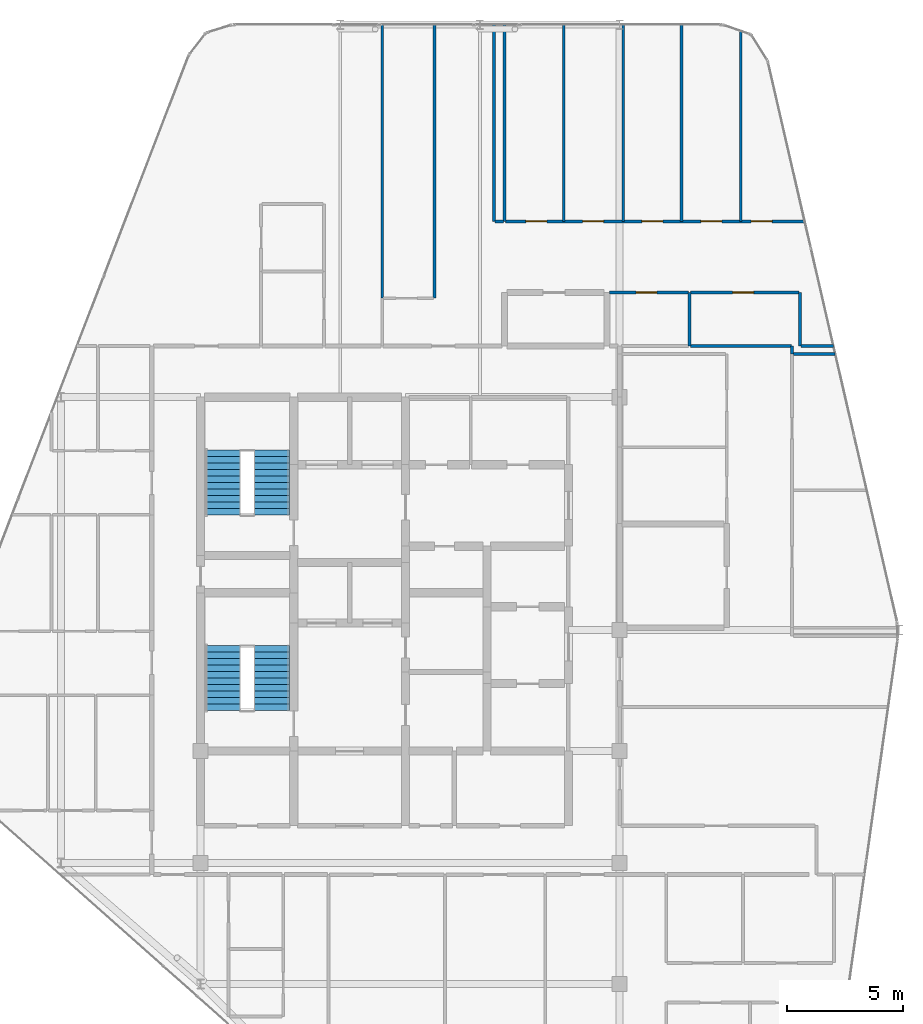
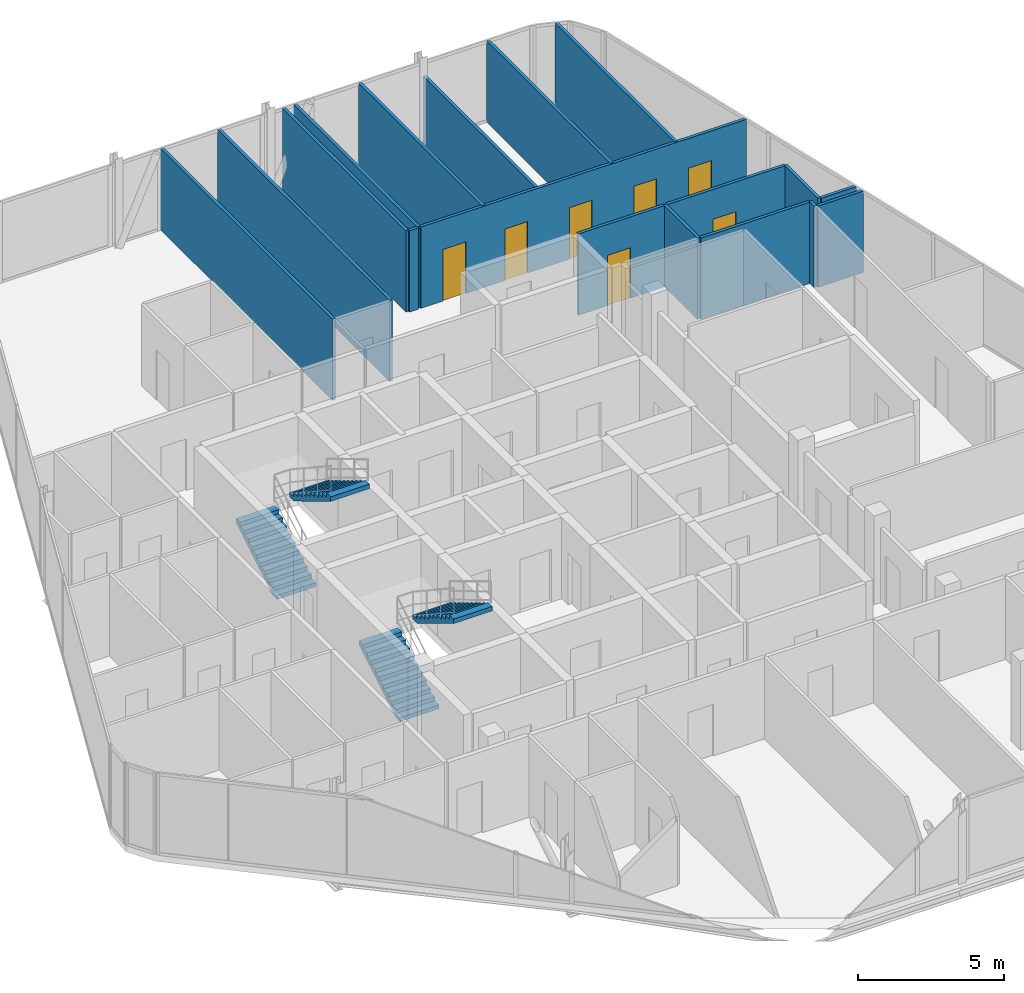
# One storey, part 26 of 27: 18 walls, 7 doors, 4 stair flights, 7 openings, 2 elements without a shape of their own.
"""IFC4 building model written with IfcOpenShell, lengths in metres."""

from ifc_helpers import new_model, si_unit, direction, frame, frame_2d, origin, place, context, subcontext, project, spatial, polyline, rectangle, outline, extrude, material, layer, layer_set, type_object, element, fill, aggregate, save


model = new_model("IFC4")

# Units and contexts
model_context = context("Model", 3, precision=1e-05, world=origin(), true_north=direction((0.0, 1.0)))
body_context = subcontext(model_context, "Body", "Model", "MODEL_VIEW")
ifc_project = project(units=[si_unit("LENGTHUNIT", "METRE"), si_unit("AREAUNIT", "SQUARE_METRE"), si_unit("VOLUMEUNIT", "CUBIC_METRE"), si_unit("PLANEANGLEUNIT", "RADIAN"), si_unit("MASSUNIT", "GRAM", prefix="KILO")], contexts=[model_context])

# Site, building, storey
site_placement = place(None, origin())
site = spatial("IfcSite", under=ifc_project, at=site_placement, CompositionType="ELEMENT")
building_placement = place(site_placement, origin())
building = spatial("IfcBuilding", under=site, at=building_placement, Name="Keshet Zoharim Tower", CompositionType="ELEMENT")
storey_placement = place(building_placement, frame((0.0, 0.0, 291.699951171875)))
storey = spatial("IfcBuildingStorey", under=building, at=storey_placement, Name="L73", CompositionType="ELEMENT", Elevation=291.699951171875)

# Walls
ifc_material_1 = material(Name="Gypsum Plasterboard", Category="gypsum")
ifc_layer_1 = layer(ifc_material_1, 0.1201171875)
ifc_layer_set_1 = layer_set([ifc_layer_1], Name="Gypsum Plasterboard")
wall_type_1 = type_object("IfcWallType", Name="WL-PART-120", PredefinedType="PARTITIONING", material=ifc_layer_set_1)
for number, where, z_axis, x_axis, name in (
    (1, (22.800048828125, 42.14990234375, 0.0), (0.0, 0.0, 1.0), (0.0, 1.0, 0.0), "L73 Interior Wall 034"),
    (2, (25.050048828125, 42.14990234375, 0.0), (0.0, 0.0, 1.0), (0.0, 1.0, 0.0), "L73 Interior Wall 041"),
):
    element("IfcWall", number, at=place(storey_placement, frame(where, z_axis=z_axis, x_axis=x_axis)), inside=storey, type_object=wall_type_1, Name=name, PredefinedType="PARTITIONING", context=body_context, shape_type="SweptSolid", body=[
        extrude(rectangle(XDim=11.739990234375, YDim=0.1201171875, at=frame_2d((5.8701171875, 0.0))), origin(), (0.0, 0.0, 1.0), 3.39013671875),
    ])
for number, where, z_axis, x_axis, name in (
    (3, (27.60009765625, 45.449951171875, 0.0), (0.0, 0.0, 1.0), (0.0, 1.0, 0.0), "L73 Interior Wall 049"),
    (4, (28.050048828125, 45.449951171875, 0.0), (0.0, 0.0, 1.0), (0.0, 1.0, 0.0), "L73 Interior Wall 051"),
    (5, (30.60009765625, 45.449951171875, 0.0), (0.0, 0.0, 1.0), (0.0, 1.0, 0.0), "L73 Interior Wall 053"),
):
    element("IfcWall", number, at=place(storey_placement, frame(where, z_axis=z_axis, x_axis=x_axis)), inside=storey, type_object=wall_type_1, Name=name, PredefinedType="PARTITIONING", context=body_context, shape_type="SweptSolid", body=[
        extrude(rectangle(XDim=8.43994140625, YDim=0.1201171875, at=frame_2d((4.219970703125, 0.0))), origin(), (0.0, 0.0, 1.0), 3.39013671875),
    ])
wall_1_placement = place(storey_placement, frame((33.14990234375, 45.449951171875, 0.0), z_axis=(0.0, 0.0, 1.0), x_axis=(0.0, 1.0, 0.0)))
element("IfcWall", 6, at=wall_1_placement, inside=storey, type_object=wall_type_1, Name="L73 Interior Wall 067", PredefinedType="PARTITIONING", context=body_context, shape_type="SweptSolid", body=[
    extrude(rectangle(XDim=8.43994140625, YDim=0.1201171875, at=frame_2d((4.219970703125, 0.0))), origin(), (0.0, 0.0, 1.0), 2.7900390625),
])
wall_2_placement = place(storey_placement, frame((35.64990234375, 45.449951171875, 0.0), z_axis=(0.0, 0.0, 1.0), x_axis=(0.0, 1.0, 0.0)))
element("IfcWall", 7, at=wall_2_placement, inside=storey, type_object=wall_type_1, Name="L73 Interior Wall 070", PredefinedType="PARTITIONING", context=body_context, shape_type="SweptSolid", body=[
    extrude(rectangle(XDim=8.43994140625, YDim=0.1201171875, at=frame_2d((4.219970703125, 0.0))), origin(), (0.0, 0.0, 1.0), 3.39013671875),
])
wall_3_placement = place(storey_placement, frame((38.199951171875, 45.449951171875, 0.0), z_axis=(0.0, 0.0, 1.0), x_axis=(0.0, 1.0, 0.0)))
element("IfcWall", 8, at=wall_3_placement, inside=storey, type_object=wall_type_1, Name="L73 Interior Wall 075", PredefinedType="PARTITIONING", context=body_context, shape_type="SweptSolid", body=[
    extrude(rectangle(XDim=8.1640625, YDim=0.1201171875, at=frame_2d((4.08203125, 0.0))), origin(), (0.0, 0.0, 1.0), 3.39013671875),
])
wall_4_placement = place(storey_placement, frame((40.39990234375, 39.75, 0.0), z_axis=(0.0, 0.0, 1.0), x_axis=(0.0, 1.0, 0.0)))
element("IfcWall", 9, at=wall_4_placement, inside=storey, type_object=wall_type_1, Name="L73 Interior Wall 080", PredefinedType="PARTITIONING", context=body_context, shape_type="SweptSolid", body=[
    extrude(rectangle(XDim=0.35009765625, YDim=0.1201171875, at=frame_2d((0.175048828125, 0.0))), origin(), (0.0, 0.0, 1.0), 3.39013671875),
])
wall_5_placement = place(storey_placement, frame((40.75, 40.10009765625, 0.0), z_axis=(0.0, 0.0, 1.0), x_axis=(0.0, 1.0, 0.0)))
element("IfcWall", 10, at=wall_5_placement, inside=storey, type_object=wall_type_1, Name="L73 Interior Wall 081", PredefinedType="PARTITIONING", context=body_context, shape_type="SweptSolid", body=[
    extrude(rectangle(XDim=2.2998046875, YDim=0.1201171875, at=frame_2d((1.14990234375, 0.0))), origin(), (0.0, 0.0, 1.0), 3.39013671875),
])
wall_6_placement = place(storey_placement, frame((40.465087890625, 39.75, 0.0), z_axis=(0.0, 0.0, 1.0), x_axis=(1.0, 0.0, 0.0)))
element("IfcWall", 11, at=wall_6_placement, inside=storey, type_object=wall_type_1, Name="L73 Interior Wall 150", PredefinedType="PARTITIONING", context=body_context, shape_type="SweptSolid", body=[
    extrude(rectangle(XDim=1.789794921875, YDim=0.1201171875, at=frame_2d((0.89501953125, 0.0))), origin(), (0.0, 0.0, 1.0), 3.39013671875),
])
wall_7_placement = place(storey_placement, frame((36.0458984375, 40.10009765625, 0.0), z_axis=(0.0, 0.0, 1.0), x_axis=(1.0, 0.0, 0.0)))
element("IfcWall", 12, at=wall_7_placement, inside=storey, type_object=wall_type_1, Name="L73 Interior Wall 160", PredefinedType="PARTITIONING", context=body_context, shape_type="SweptSolid", body=[
    extrude(rectangle(XDim=4.3291015625, YDim=0.1201171875, at=frame_2d((2.16455078125, 0.0))), origin(), (0.0, 0.0, 1.0), 3.39013671875),
])
wall_8_placement = place(storey_placement, frame((40.7958984375, 40.10009765625, 0.0), z_axis=(0.0, 0.0, 1.0), x_axis=(1.0, 0.0, 0.0)))
element("IfcWall", 13, at=wall_8_placement, inside=storey, type_object=wall_type_1, Name="L73 Interior Wall 161", PredefinedType="PARTITIONING", context=body_context, shape_type="SweptSolid", body=[
    extrude(rectangle(XDim=1.379150390625, YDim=0.1201171875, at=frame_2d((0.689453125, 0.0))), origin(), (0.0, 0.0, 1.0), 3.39013671875),
])

# Wall, opening, door
wall_9_placement = place(storey_placement, frame((36.0458984375, 42.39990234375, 0.0), z_axis=(0.0, 0.0, 1.0), x_axis=(1.0, 0.0, 0.0)))
wall_9 = element("IfcWall", 14, at=wall_9_placement, inside=storey, type_object=wall_type_1, Name="L73 Interior Wall 165", PredefinedType="PARTITIONING", context=body_context, shape_type="SweptSolid", body=[
    extrude(rectangle(XDim=4.66015625, YDim=0.1201171875, at=frame_2d((2.330078125, 0.0))), origin(), (0.0, 0.0, 1.0), 3.39013671875),
])
opening_1_placement = place(wall_9_placement, frame((1.806884765625, 0.0, 0.0)))
opening_1 = element("IfcOpeningElement", 15, at=opening_1_placement, cuts=wall_9, Name="Opening D-IN90", PredefinedType="OPENING", context=body_context, shape_type="SweptSolid", body=[
    extrude(rectangle(XDim=0.89990234375, YDim=2.14990234375, at=frame_2d((0.449951171875, 1.074951171875))), frame((0.0, 0.070068359375, 0.0), z_axis=(0.0, -1.0, 0.0), x_axis=(1.0, 0.0, 0.0)), (0.0, 0.0, 1.0), 0.14013671875),
])
ifc_material_2 = material(Name="Hardwood Timber", Category="wood")
door_type_1 = type_object("IfcDoorType", Name="DR-INT-090", OperationType="NOTDEFINED", PredefinedType="DOOR", material=ifc_material_2)
door_1_placement = place(opening_1_placement, origin())
door_1 = element("IfcDoor", 16, at=door_1_placement, inside=storey, type_object=door_type_1, Name="Apartment 7304 Kitchen Door", OperationType="SINGLE_SWING_LEFT", OverallHeight=2.14990234375, OverallWidth=0.89990234375, PredefinedType="DOOR", context=body_context, shape_type="SweptSolid", body=[
    extrude(rectangle(XDim=0.89990234375, YDim=2.14990234375, at=frame_2d((0.449951171875, 1.074951171875))), frame((0.0, 0.02490234375, 0.0), z_axis=(0.0, -1.0, 0.0), x_axis=(1.0, 0.0, 0.0)), (0.0, 0.0, 1.0), 0.050048828125),
])
fill(opening_1, door_1)

# Wall
wall_10_placement = place(storey_placement, frame((27.64501953125, 45.449951171875, 0.0), z_axis=(0.0, 0.0, 1.0), x_axis=(1.0, 0.0, 0.0)))
element("IfcWall", 17, at=wall_10_placement, inside=storey, type_object=wall_type_1, Name="L73 Interior Wall 167", PredefinedType="PARTITIONING", context=body_context, shape_type="SweptSolid", body=[
    extrude(rectangle(XDim=0.35986328125, YDim=0.1201171875, at=frame_2d((0.179931640625, 0.0))), origin(), (0.0, 0.0, 1.0), 3.39013671875),
])

# Wall, openings, doors
wall_11_placement = place(storey_placement, frame((28.094970703125, 45.449951171875, 0.0), z_axis=(0.0, 0.0, 1.0), x_axis=(1.0, 0.0, 0.0)))
wall_11 = element("IfcWall", 18, at=wall_11_placement, inside=storey, type_object=wall_type_1, Name="L73 Interior Wall 168", PredefinedType="PARTITIONING", context=body_context, shape_type="SweptSolid", body=[
    extrude(rectangle(XDim=12.844970703125, YDim=0.1201171875, at=frame_2d((6.42236328125, 0.0))), origin(), (0.0, 0.0, 1.0), 3.39013671875),
])
opening_2_placement = place(wall_11_placement, frame((0.8740234375, 0.0, 0.0)))
opening_2 = element("IfcOpeningElement", 19, at=opening_2_placement, cuts=wall_11, Name="Opening D-IN90", PredefinedType="OPENING", context=body_context, shape_type="SweptSolid", body=[
    extrude(rectangle(XDim=0.89990234375, YDim=2.14990234375, at=frame_2d((0.449951171875, 1.074951171875))), frame((0.0, 0.070068359375, 0.0), z_axis=(0.0, -1.0, 0.0), x_axis=(1.0, 0.0, 0.0)), (0.0, 0.0, 1.0), 0.14013671875),
])
opening_3_placement = place(wall_11_placement, frame((3.31494140625, 0.0, 0.0)))
opening_3 = element("IfcOpeningElement", 20, at=opening_3_placement, cuts=wall_11, Name="Opening D-IN90", PredefinedType="OPENING", context=body_context, shape_type="SweptSolid", body=[
    extrude(rectangle(XDim=0.89990234375, YDim=2.14990234375, at=frame_2d((0.449951171875, 1.074951171875))), frame((0.0, 0.070068359375, 0.0), z_axis=(0.0, -1.0, 0.0), x_axis=(1.0, 0.0, 0.0)), (0.0, 0.0, 1.0), 0.14013671875),
])
opening_4_placement = place(wall_11_placement, frame((5.85595703125, 0.0, 0.0)))
opening_4 = element("IfcOpeningElement", 21, at=opening_4_placement, cuts=wall_11, Name="Opening D-IN90", PredefinedType="OPENING", context=body_context, shape_type="SweptSolid", body=[
    extrude(rectangle(XDim=0.89990234375, YDim=2.14990234375, at=frame_2d((0.449951171875, 1.074951171875))), frame((0.0, 0.070068359375, 0.0), z_axis=(0.0, -1.0, 0.0), x_axis=(1.0, 0.0, 0.0)), (0.0, 0.0, 1.0), 0.14013671875),
])
opening_5_placement = place(wall_11_placement, frame((8.39599609375, 0.0, 0.0)))
opening_5 = element("IfcOpeningElement", 22, at=opening_5_placement, cuts=wall_11, Name="Opening D-IN90", PredefinedType="OPENING", context=body_context, shape_type="SweptSolid", body=[
    extrude(rectangle(XDim=0.89990234375, YDim=2.14990234375, at=frame_2d((0.449951171875, 1.074951171875))), frame((0.0, 0.070068359375, 0.0), z_axis=(0.0, -1.0, 0.0), x_axis=(1.0, 0.0, 0.0)), (0.0, 0.0, 1.0), 0.14013671875),
])
opening_6_placement = place(wall_11_placement, frame((10.553955078125, 0.0, 0.0)))
opening_6 = element("IfcOpeningElement", 23, at=opening_6_placement, cuts=wall_11, Name="Opening D-IN90", PredefinedType="OPENING", context=body_context, shape_type="SweptSolid", body=[
    extrude(rectangle(XDim=0.89990234375, YDim=2.14990234375, at=frame_2d((0.449951171875, 1.074951171875))), frame((0.0, 0.070068359375, 0.0), z_axis=(0.0, -1.0, 0.0), x_axis=(1.0, 0.0, 0.0)), (0.0, 0.0, 1.0), 0.14013671875),
])
door_2_placement = place(opening_2_placement, origin())
door_2 = element("IfcDoor", 24, at=door_2_placement, inside=storey, type_object=door_type_1, Name="Apartment 7304 Bedroom 1 Door", OperationType="SINGLE_SWING_RIGHT", OverallHeight=2.14990234375, OverallWidth=0.89990234375, PredefinedType="DOOR", context=body_context, shape_type="SweptSolid", body=[
    extrude(rectangle(XDim=0.89990234375, YDim=2.14990234375, at=frame_2d((0.449951171875, 1.074951171875))), frame((0.0, 0.02490234375, 0.0), z_axis=(0.0, -1.0, 0.0), x_axis=(1.0, 0.0, 0.0)), (0.0, 0.0, 1.0), 0.050048828125),
])
fill(opening_2, door_2)
door_3_placement = place(opening_3_placement, origin())
door_3 = element("IfcDoor", 25, at=door_3_placement, inside=storey, type_object=door_type_1, Name="Apartment 7304 Bedroom 2 Door", OperationType="SINGLE_SWING_LEFT", OverallHeight=2.14990234375, OverallWidth=0.89990234375, PredefinedType="DOOR", context=body_context, shape_type="SweptSolid", body=[
    extrude(rectangle(XDim=0.89990234375, YDim=2.14990234375, at=frame_2d((0.449951171875, 1.074951171875))), frame((0.0, 0.02490234375, 0.0), z_axis=(0.0, -1.0, 0.0), x_axis=(1.0, 0.0, 0.0)), (0.0, 0.0, 1.0), 0.050048828125),
])
fill(opening_3, door_3)
door_4_placement = place(opening_4_placement, origin())
door_4 = element("IfcDoor", 26, at=door_4_placement, inside=storey, type_object=door_type_1, Name="Apartment 7304 Bedroom 3 Door", OperationType="SINGLE_SWING_RIGHT", OverallHeight=2.14990234375, OverallWidth=0.89990234375, PredefinedType="DOOR", context=body_context, shape_type="SweptSolid", body=[
    extrude(rectangle(XDim=0.89990234375, YDim=2.14990234375, at=frame_2d((0.449951171875, 1.074951171875))), frame((0.0, 0.02490234375, 0.0), z_axis=(0.0, -1.0, 0.0), x_axis=(1.0, 0.0, 0.0)), (0.0, 0.0, 1.0), 0.050048828125),
])
fill(opening_4, door_4)
door_5_placement = place(opening_5_placement, origin())
door_5 = element("IfcDoor", 27, at=door_5_placement, inside=storey, type_object=door_type_1, Name="Apartment 7304 Bedroom 4 Door", OperationType="SINGLE_SWING_LEFT", OverallHeight=2.14990234375, OverallWidth=0.89990234375, PredefinedType="DOOR", context=body_context, shape_type="SweptSolid", body=[
    extrude(rectangle(XDim=0.89990234375, YDim=2.14990234375, at=frame_2d((0.449951171875, 1.074951171875))), frame((0.0, 0.02490234375, 0.0), z_axis=(0.0, -1.0, 0.0), x_axis=(1.0, 0.0, 0.0)), (0.0, 0.0, 1.0), 0.050048828125),
])
fill(opening_5, door_5)
door_6_placement = place(opening_6_placement, origin())
door_6 = element("IfcDoor", 28, at=door_6_placement, inside=storey, type_object=door_type_1, Name="Apartment 7304 Bedroom 5 Door", OperationType="SINGLE_SWING_RIGHT", OverallHeight=2.14990234375, OverallWidth=0.89990234375, PredefinedType="DOOR", context=body_context, shape_type="SweptSolid", body=[
    extrude(rectangle(XDim=0.89990234375, YDim=2.14990234375, at=frame_2d((0.449951171875, 1.074951171875))), frame((0.0, 0.02490234375, 0.0), z_axis=(0.0, -1.0, 0.0), x_axis=(1.0, 0.0, 0.0)), (0.0, 0.0, 1.0), 0.050048828125),
])
fill(opening_6, door_6)

# Wall
ifc_layer_2 = layer(ifc_material_1, 0.1201171875)
ifc_layer_set_2 = layer_set([ifc_layer_2], Name="Gypsum Plasterboard")
wall_type_2 = type_object("IfcWallType", Name="WL-WET-120", PredefinedType="PARTITIONING", material=ifc_layer_set_2)
wall_12_placement = place(storey_placement, frame((36.0, 40.10009765625, 0.0), z_axis=(0.0, 0.0, 1.0), x_axis=(0.0, 1.0, 0.0)))
element("IfcWall", 29, at=wall_12_placement, inside=storey, type_object=wall_type_2, Name="L73 Interior Wall 071", PredefinedType="PARTITIONING", context=body_context, shape_type="SweptSolid", body=[
    extrude(rectangle(XDim=2.2998046875, YDim=0.1201171875, at=frame_2d((1.14990234375, 0.0))), origin(), (0.0, 0.0, 1.0), 3.39013671875),
])

# Wall, opening, door
wall_13_placement = place(storey_placement, frame((32.554931640625, 42.39990234375, 0.0), z_axis=(0.0, 0.0, 1.0), x_axis=(1.0, 0.0, 0.0)))
wall_13 = element("IfcWall", 30, at=wall_13_placement, inside=storey, type_object=wall_type_2, Name="L73 Interior Wall 164", PredefinedType="PARTITIONING", context=body_context, shape_type="SweptSolid", body=[
    extrude(rectangle(XDim=3.401123046875, YDim=0.1201171875, at=frame_2d((1.70068359375, 0.0))), origin(), (0.0, 0.0, 1.0), 3.39013671875),
])
opening_7_placement = place(wall_13_placement, frame((1.14599609375, 0.0, 0.0)))
opening_7 = element("IfcOpeningElement", 31, at=opening_7_placement, cuts=wall_13, Name="Opening D-WT90", PredefinedType="OPENING", context=body_context, shape_type="SweptSolid", body=[
    extrude(rectangle(XDim=0.89990234375, YDim=2.10009765625, at=frame_2d((0.449951171875, 1.050048828125))), frame((0.0, 0.070068359375, 0.0), z_axis=(0.0, -1.0, 0.0), x_axis=(1.0, 0.0, 0.0)), (0.0, 0.0, 1.0), 0.14013671875),
])
door_type_2 = type_object("IfcDoorType", Name="DR-WET-090", OperationType="NOTDEFINED", PredefinedType="DOOR", material=ifc_material_2)
door_7_placement = place(opening_7_placement, origin())
door_7 = element("IfcDoor", 32, at=door_7_placement, inside=storey, type_object=door_type_2, Name="Apartment 7304 Bathroom Door", OperationType="SINGLE_SWING_RIGHT", OverallHeight=2.10009765625, OverallWidth=0.89990234375, PredefinedType="DOOR", context=body_context, shape_type="SweptSolid", body=[
    extrude(rectangle(XDim=0.89990234375, YDim=2.10009765625, at=frame_2d((0.449951171875, 1.050048828125))), frame((0.0, 0.02490234375, 0.0), z_axis=(0.0, -1.0, 0.0), x_axis=(1.0, 0.0, 0.0)), (0.0, 0.0, 1.0), 0.050048828125),
])
fill(opening_7, door_7)

# Stair, stair flights
ifc_material_3 = material(Name="Concrete C50/60", Category="concrete")
stair_type = type_object("IfcStairType", Name="STR-EXIT-135", PredefinedType="HALF_TURN_STAIR", material=ifc_material_3)
stair_1_placement = place(storey_placement, origin())
stair_1 = element("IfcStair", 33, at=stair_1_placement, inside=storey, type_object=stair_type, Name="L73 Enclosed Exit Stair ST-01", PredefinedType="HALF_TURN_STAIR")
stair_flight_type = type_object("IfcStairFlightType", Name="FLT-PRE-135", PredefinedType="STRAIGHT", material=ifc_material_3)
stair_flight_1_placement = place(storey_placement, frame((15.945068359375, 24.43994140625, 0.0), z_axis=(0.0, 0.0, 1.0), x_axis=(0.0, 1.0, 0.0)))
stair_flight_1 = element("IfcStairFlight", 34, at=stair_flight_1_placement, type_object=stair_flight_type, Name="ST-01 flight 1", NumberOfRisers=11, NumberOfTreads=10, PredefinedType="STRAIGHT", RiserHeight=0.168182, TreadLength=0.28, context=body_context, shape_type="SweptSolid", body=[
    extrude(outline(polyline([(0.0, 0.0), (0.0, 0.168212890625), (0.280029296875, 0.168212890625), (0.280029296875, 0.33642578125), (0.56005859375, 0.33642578125), (0.56005859375, 0.504638671875), (0.840087890625, 0.504638671875), (0.840087890625, 0.672607421875), (1.1201171875, 0.672607421875), (1.1201171875, 0.8408203125), (1.39990234375, 0.8408203125), (1.39990234375, 1.009033203125), (1.679931640625, 1.009033203125), (1.679931640625, 1.17724609375), (1.9599609375, 1.17724609375), (1.9599609375, 1.345458984375), (2.239990234375, 1.345458984375), (2.239990234375, 1.513671875), (2.52001953125, 1.513671875), (2.52001953125, 1.681884765625), (2.800048828125, 1.681884765625), (2.800048828125, 1.85009765625), (2.800048828125, 1.495361328125), (0.310546875, 0.0), (0.0, 0.0)])), frame((0.0, 0.76513671875, 0.0), z_axis=(0.0, -1.0, 0.0), x_axis=(1.0, 0.0, 0.0)), (0.0, 0.0, 1.0), 1.530029296875),
])
stair_flight_2_placement = place(storey_placement, frame((18.054931640625, 27.239990234375, 1.85009765625), z_axis=(0.0, 0.0, 1.0), x_axis=(0.0, -1.0, 0.0)))
stair_flight_2 = element("IfcStairFlight", 35, at=stair_flight_2_placement, type_object=stair_flight_type, Name="ST-01 flight 2", NumberOfRisers=11, NumberOfTreads=10, PredefinedType="STRAIGHT", RiserHeight=0.168182, TreadLength=0.28, context=body_context, shape_type="SweptSolid", body=[
    extrude(outline(polyline([(0.0, 0.0), (0.0, 0.168212890625), (0.280029296875, 0.168212890625), (0.280029296875, 0.33642578125), (0.56005859375, 0.33642578125), (0.56005859375, 0.504638671875), (0.840087890625, 0.504638671875), (0.840087890625, 0.672607421875), (1.1201171875, 0.672607421875), (1.1201171875, 0.8408203125), (1.39990234375, 0.8408203125), (1.39990234375, 1.009033203125), (1.679931640625, 1.009033203125), (1.679931640625, 1.17724609375), (1.9599609375, 1.17724609375), (1.9599609375, 1.345458984375), (2.239990234375, 1.345458984375), (2.239990234375, 1.513671875), (2.52001953125, 1.513671875), (2.52001953125, 1.681884765625), (2.800048828125, 1.681884765625), (2.800048828125, 1.85009765625), (2.800048828125, 1.495361328125), (0.310546875, 0.0), (0.0, 0.0)])), frame((0.0, 0.76513671875, 0.0), z_axis=(0.0, -1.0, 0.0), x_axis=(1.0, 0.0, 0.0)), (0.0, 0.0, 1.0), 1.530029296875),
])
aggregate(stair_1, [stair_flight_1, stair_flight_2])

stair_2_placement = place(storey_placement, origin())
stair_2 = element("IfcStair", 36, at=stair_2_placement, inside=storey, type_object=stair_type, Name="L73 Enclosed Exit Stair ST-02", PredefinedType="HALF_TURN_STAIR")
stair_flight_3_placement = place(storey_placement, frame((15.945068359375, 32.840087890625, 0.0), z_axis=(0.0, 0.0, 1.0), x_axis=(0.0, 1.0, 0.0)))
stair_flight_3 = element("IfcStairFlight", 37, at=stair_flight_3_placement, type_object=stair_flight_type, Name="ST-02 flight 1", NumberOfRisers=11, NumberOfTreads=10, PredefinedType="STRAIGHT", RiserHeight=0.168182, TreadLength=0.28, context=body_context, shape_type="SweptSolid", body=[
    extrude(outline(polyline([(0.0, 0.0), (0.0, 0.168212890625), (0.280029296875, 0.168212890625), (0.280029296875, 0.33642578125), (0.56005859375, 0.33642578125), (0.56005859375, 0.504638671875), (0.840087890625, 0.504638671875), (0.840087890625, 0.672607421875), (1.1201171875, 0.672607421875), (1.1201171875, 0.8408203125), (1.39990234375, 0.8408203125), (1.39990234375, 1.009033203125), (1.679931640625, 1.009033203125), (1.679931640625, 1.17724609375), (1.9599609375, 1.17724609375), (1.9599609375, 1.345458984375), (2.239990234375, 1.345458984375), (2.239990234375, 1.513671875), (2.52001953125, 1.513671875), (2.52001953125, 1.681884765625), (2.800048828125, 1.681884765625), (2.800048828125, 1.85009765625), (2.800048828125, 1.495361328125), (0.310546875, 0.0), (0.0, 0.0)])), frame((0.0, 0.76513671875, 0.0), z_axis=(0.0, -1.0, 0.0), x_axis=(1.0, 0.0, 0.0)), (0.0, 0.0, 1.0), 1.530029296875),
])
stair_flight_4_placement = place(storey_placement, frame((18.054931640625, 35.639892578125, 1.85009765625), z_axis=(0.0, 0.0, 1.0), x_axis=(0.0, -1.0, 0.0)))
stair_flight_4 = element("IfcStairFlight", 38, at=stair_flight_4_placement, type_object=stair_flight_type, Name="ST-02 flight 2", NumberOfRisers=11, NumberOfTreads=10, PredefinedType="STRAIGHT", RiserHeight=0.168182, TreadLength=0.28, context=body_context, shape_type="SweptSolid", body=[
    extrude(outline(polyline([(0.0, 0.0), (0.0, 0.168212890625), (0.280029296875, 0.168212890625), (0.280029296875, 0.33642578125), (0.56005859375, 0.33642578125), (0.56005859375, 0.504638671875), (0.840087890625, 0.504638671875), (0.840087890625, 0.672607421875), (1.1201171875, 0.672607421875), (1.1201171875, 0.8408203125), (1.39990234375, 0.8408203125), (1.39990234375, 1.009033203125), (1.679931640625, 1.009033203125), (1.679931640625, 1.17724609375), (1.9599609375, 1.17724609375), (1.9599609375, 1.345458984375), (2.239990234375, 1.345458984375), (2.239990234375, 1.513671875), (2.52001953125, 1.513671875), (2.52001953125, 1.681884765625), (2.800048828125, 1.681884765625), (2.800048828125, 1.85009765625), (2.800048828125, 1.495361328125), (0.310546875, 0.0), (0.0, 0.0)])), frame((0.0, 0.76513671875, 0.0), z_axis=(0.0, -1.0, 0.0), x_axis=(1.0, 0.0, 0.0)), (0.0, 0.0, 1.0), 1.530029296875),
])
aggregate(stair_2, [stair_flight_3, stair_flight_4])

save(model, "model.ifc")
